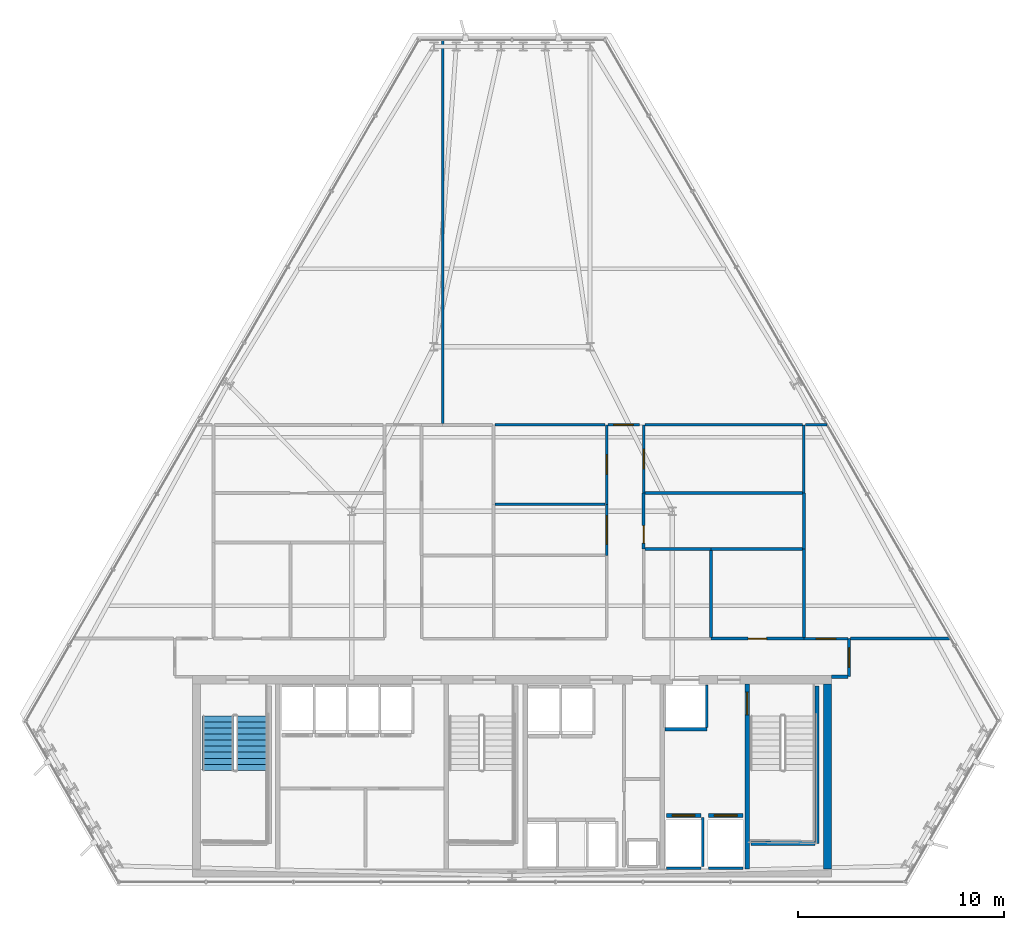
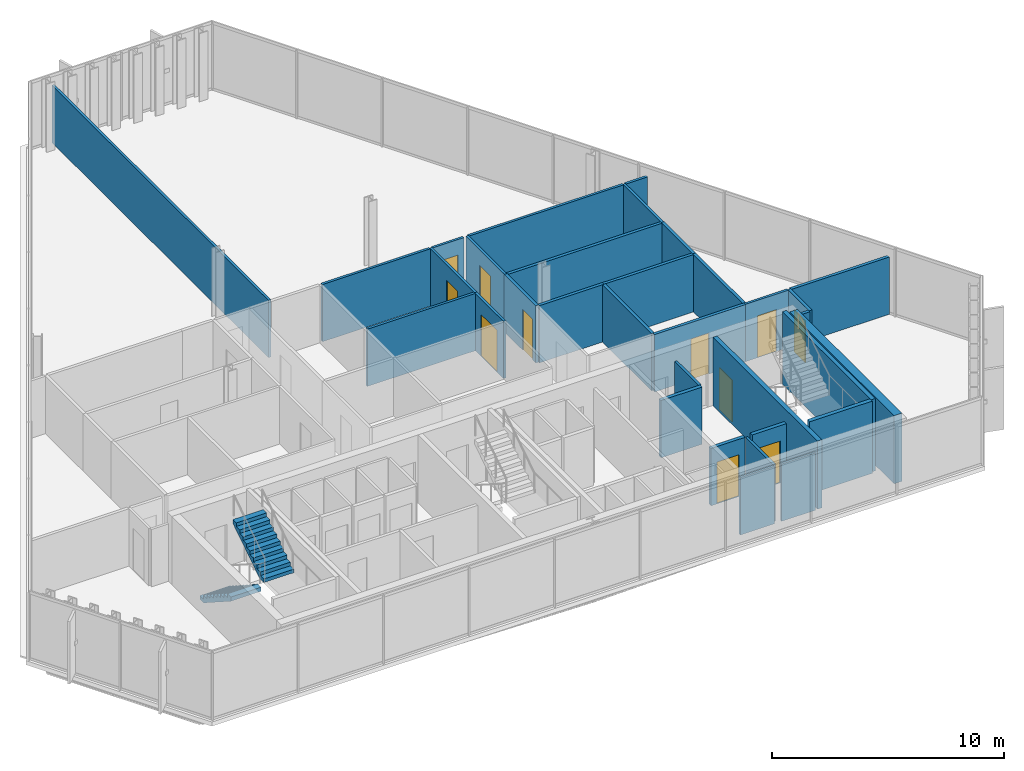
# One storey, part 29 of 34: 33 walls, 11 doors, 2 stair flights, 11 openings, 1 element without a shape of its own.
"""IFC4 building model written with IfcOpenShell, lengths in metres."""

from ifc_helpers import new_model, si_unit, direction, frame, frame_2d, origin, place, context, subcontext, project, spatial, polyline, rectangle, outline, extrude, material, layer, layer_set, type_object, element, fill, aggregate, save


model = new_model("IFC4")

# Units and contexts
model_context = context("Model", 3, precision=1e-05, world=origin(), true_north=direction((0.0, 1.0)))
body_context = subcontext(model_context, "Body", "Model", "MODEL_VIEW")
ifc_project = project(units=[si_unit("LENGTHUNIT", "METRE"), si_unit("AREAUNIT", "SQUARE_METRE"), si_unit("VOLUMEUNIT", "CUBIC_METRE"), si_unit("PLANEANGLEUNIT", "RADIAN"), si_unit("MASSUNIT", "GRAM", prefix="KILO")], contexts=[model_context])

# Site, building, storey
site_placement = place(None, origin())
site = spatial("IfcSite", under=ifc_project, at=site_placement, CompositionType="ELEMENT")
building_placement = place(site_placement, origin())
building = spatial("IfcBuilding", under=site, at=building_placement, Name="Ndaravel Arena Tower", CompositionType="ELEMENT")
storey_placement = place(building_placement, frame((0.0, 0.0, 191.60009765625)))
storey = spatial("IfcBuildingStorey", under=building, at=storey_placement, Name="L46", CompositionType="ELEMENT", Elevation=191.60009765625)

# Wall, opening, door
ifc_material_1 = material(Name="Concrete C50/60", Category="concrete")
ifc_layer_1 = layer(ifc_material_1, 0.219970703125)
ifc_layer_set_1 = layer_set([ifc_layer_1], Name="Concrete C50/60")
wall_type_1 = type_object("IfcWallType", Name="WALL-CORE-220", PredefinedType="SOLIDWALL", material=ifc_layer_set_1)
wall_1_placement = place(storey_placement, frame((53.449951171875, 5.800048828125, 0.0), z_axis=(0.0, 0.0, 1.0), x_axis=(0.0, 1.0, 0.0)))
wall_1 = element("IfcWall", 1, at=wall_1_placement, inside=storey, type_object=wall_type_1, Name="L46 Core Web Shear Wall 5", PredefinedType="SOLIDWALL", context=body_context, shape_type="SweptSolid", body=[
    extrude(rectangle(XDim=9.0, YDim=0.219970703125, at=frame_2d((4.5, 0.0))), origin(), (0.0, 0.0, 1.0), 3.579833984375),
])
opening_1_placement = place(wall_1_placement, frame((7.5, 0.0, 0.0)))
opening_1 = element("IfcOpeningElement", 2, at=opening_1_placement, cuts=wall_1, Name="Opening FD-01", PredefinedType="OPENING", context=body_context, shape_type="SweptSolid", body=[
    extrude(rectangle(XDim=1.10009765625, YDim=2.199951171875, at=frame_2d((0.550048828125, 1.10009765625))), frame((0.0, 0.10986328125, 0.0), z_axis=(0.0, -1.0, 0.0), x_axis=(1.0, 0.0, 0.0)), (0.0, 0.0, 1.0), 0.219970703125),
])
ifc_material_2 = material(Name="Steel S355", Category="steel")
door_type_1 = type_object("IfcDoorType", Name="DT-01-STAIR-1100", OperationType="SINGLE_SWING_LEFT", PredefinedType="DOOR", material=ifc_material_2)
door_1_placement = place(opening_1_placement, origin())
door_1 = element("IfcDoor", 3, at=door_1_placement, inside=storey, type_object=door_type_1, Name="L46 Firefighting Lobby to ST-3 Door", OperationType="SINGLE_SWING_LEFT", OverallHeight=2.199951171875, OverallWidth=1.10009765625, PredefinedType="DOOR", context=body_context, shape_type="SweptSolid", body=[
    extrude(rectangle(XDim=1.10009765625, YDim=2.199951171875, at=frame_2d((0.550048828125, 1.10009765625))), frame((0.0, 0.02490234375, 0.0), z_axis=(0.0, -1.0, 0.0), x_axis=(1.0, 0.0, 0.0)), (0.0, 0.0, 1.0), 0.050048828125),
])
fill(opening_1, door_1)

# Wall
ifc_material_3 = material(Name="Concrete C50/60", Category="concrete")
ifc_layer_2 = layer(ifc_material_3, 0.39990234375)
ifc_layer_set_2 = layer_set([ifc_layer_2], Name="Concrete C50/60")
wall_type_2 = type_object("IfcWallType", Name="WALL-CORE-400", PredefinedType="SOLIDWALL", material=ifc_layer_set_2)
wall_2_placement = place(storey_placement, frame((57.35009765625, 5.800048828125, 0.0), z_axis=(0.0, 0.0, 1.0), x_axis=(0.0, 1.0, 0.0)))
element("IfcWall", 4, at=wall_2_placement, inside=storey, type_object=wall_type_2, Name="L46 Core East Shear Wall", PredefinedType="SOLIDWALL", context=body_context, shape_type="SweptSolid", body=[
    extrude(rectangle(XDim=9.0, YDim=0.39990234375, at=frame_2d((4.5, 0.0))), origin(), (0.0, 0.0, 1.0), 3.579833984375),
])

# Wall, opening, door
ifc_material_4 = material(Name="Gypsum", Category="gypsum")
ifc_layer_3 = layer(ifc_material_4, 0.125)
ifc_layer_set_3 = layer_set([ifc_layer_3], Name="Gypsum")
wall_type_3 = type_object("IfcWallType", Name="WALL-PART-125", PredefinedType="PARTITIONING", material=ifc_layer_set_3)
wall_3_placement = place(storey_placement, frame((46.60009765625, 21.055908203125, 0.0), z_axis=(0.0, 0.0, 1.0), x_axis=(0.0, 1.0, 0.0)))
wall_3 = element("IfcWall", 5, at=wall_3_placement, inside=storey, type_object=wall_type_3, Name="L46 Interior Partition 017", PredefinedType="PARTITIONING", context=body_context, shape_type="SweptSolid", body=[
    extrude(rectangle(XDim=2.474365234375, YDim=0.125, at=frame_2d((1.2373046875, 0.0))), origin(), (0.0, 0.0, 1.0), 3.010498046875),
])
opening_2_placement = place(wall_3_placement, frame((0.537109375, 0.0, 0.0)))
opening_2 = element("IfcOpeningElement", 6, at=opening_2_placement, cuts=wall_3, Name="Opening ID-02", PredefinedType="OPENING", context=body_context, shape_type="SweptSolid", body=[
    extrude(rectangle(XDim=1.39990234375, YDim=2.199951171875, at=frame_2d((0.699951171875, 1.10009765625))), frame((0.0, 0.0625, 0.0), z_axis=(0.0, -1.0, 0.0), x_axis=(1.0, 0.0, 0.0)), (0.0, 0.0, 1.0), 0.125),
])
ifc_material_5 = material(Name="Timber", Category="wood")
door_type_2 = type_object("IfcDoorType", Name="DT-04-SUITE-1400", OperationType="DOUBLE_DOOR_SINGLE_SWING", PredefinedType="DOOR", material=ifc_material_5)
door_2_placement = place(opening_2_placement, origin())
door_2 = element("IfcDoor", 7, at=door_2_placement, inside=storey, type_object=door_type_2, Name="L46 Executive Dining Lounge 4 Door", OperationType="SINGLE_SWING_LEFT", OverallHeight=2.199951171875, OverallWidth=1.39990234375, PredefinedType="DOOR", context=body_context, shape_type="SweptSolid", body=[
    extrude(rectangle(XDim=1.39990234375, YDim=2.199951171875, at=frame_2d((0.699951171875, 1.10009765625))), frame((0.0, 0.02490234375, 0.0), z_axis=(0.0, -1.0, 0.0), x_axis=(1.0, 0.0, 0.0)), (0.0, 0.0, 1.0), 0.050048828125),
])
fill(opening_2, door_2)

wall_4_placement = place(storey_placement, frame((46.60009765625, 23.5302734375, 0.0), z_axis=(0.0, 0.0, 1.0), x_axis=(0.0, 1.0, 0.0)))
wall_4 = element("IfcWall", 8, at=wall_4_placement, inside=storey, type_object=wall_type_3, Name="L46 Interior Partition 018", PredefinedType="PARTITIONING", context=body_context, shape_type="SweptSolid", body=[
    extrude(rectangle(XDim=3.86962890625, YDim=0.125, at=frame_2d((1.934814453125, 0.0))), origin(), (0.0, 0.0, 1.0), 3.010498046875),
])
opening_3_placement = place(wall_4_placement, frame((1.4599609375, 0.0, 0.0)))
opening_3 = element("IfcOpeningElement", 9, at=opening_3_placement, cuts=wall_4, Name="Opening ID-01", PredefinedType="OPENING", context=body_context, shape_type="SweptSolid", body=[
    extrude(rectangle(XDim=0.949951171875, YDim=2.199951171875, at=frame_2d((0.47509765625, 1.10009765625))), frame((0.0, 0.0625, 0.0), z_axis=(0.0, -1.0, 0.0), x_axis=(1.0, 0.0, 0.0)), (0.0, 0.0, 1.0), 0.125),
])
ifc_material_6 = material(Name="Timber", Category="wood")
door_type_3 = type_object("IfcDoorType", Name="DT-03-OFFICE-950", OperationType="SINGLE_SWING_LEFT", PredefinedType="DOOR", material=ifc_material_6)
door_3_placement = place(opening_3_placement, origin())
door_3 = element("IfcDoor", 10, at=door_3_placement, inside=storey, type_object=door_type_3, Name="L46 Hospitality Sitting Room 6 Door", OperationType="SINGLE_SWING_LEFT", OverallHeight=2.199951171875, OverallWidth=0.949951171875, PredefinedType="DOOR", context=body_context, shape_type="SweptSolid", body=[
    extrude(rectangle(XDim=0.949951171875, YDim=2.199951171875, at=frame_2d((0.47509765625, 1.10009765625))), frame((0.0, 0.02490234375, 0.0), z_axis=(0.0, -1.0, 0.0), x_axis=(1.0, 0.0, 0.0)), (0.0, 0.0, 1.0), 0.050048828125),
])
fill(opening_3, door_3)

wall_5_placement = place(storey_placement, frame((46.6650390625, 27.39990234375, 0.0), z_axis=(0.0, 0.0, 1.0), x_axis=(1.0, 0.0, 0.0)))
wall_5 = element("IfcWall", 11, at=wall_5_placement, inside=storey, type_object=wall_type_3, Name="L46 Interior Partition 019", PredefinedType="PARTITIONING", context=body_context, shape_type="SweptSolid", body=[
    extrude(rectangle(XDim=1.534912109375, YDim=0.125, at=frame_2d((0.767578125, 0.0))), origin(), (0.0, 0.0, 1.0), 3.010498046875),
])
opening_4_placement = place(wall_5_placement, frame((0.29248046875, 0.0, 0.0)))
opening_4 = element("IfcOpeningElement", 12, at=opening_4_placement, cuts=wall_5, Name="Opening ID-01", PredefinedType="OPENING", context=body_context, shape_type="SweptSolid", body=[
    extrude(rectangle(XDim=0.949951171875, YDim=2.199951171875, at=frame_2d((0.47509765625, 1.10009765625))), frame((0.0, 0.0625, 0.0), z_axis=(0.0, -1.0, 0.0), x_axis=(1.0, 0.0, 0.0)), (0.0, 0.0, 1.0), 0.125),
])
door_4_placement = place(opening_4_placement, origin())
door_4 = element("IfcDoor", 13, at=door_4_placement, inside=storey, type_object=door_type_3, Name="L46 Executive Dining Lounge 8 Door", OperationType="SINGLE_SWING_LEFT", OverallHeight=2.199951171875, OverallWidth=0.949951171875, PredefinedType="DOOR", context=body_context, shape_type="SweptSolid", body=[
    extrude(rectangle(XDim=0.949951171875, YDim=2.199951171875, at=frame_2d((0.47509765625, 1.10009765625))), frame((0.0, 0.02490234375, 0.0), z_axis=(0.0, -1.0, 0.0), x_axis=(1.0, 0.0, 0.0)), (0.0, 0.0, 1.0), 0.050048828125),
])
fill(opening_4, door_4)

wall_6_placement = place(storey_placement, frame((48.39990234375, 27.39990234375, 0.0), z_axis=(0.0, 0.0, 1.0), x_axis=(0.0, -1.0, 0.0)))
wall_6 = element("IfcWall", 14, at=wall_6_placement, inside=storey, type_object=wall_type_3, Name="L46 Interior Partition 020", PredefinedType="PARTITIONING", context=body_context, shape_type="SweptSolid", body=[
    extrude(rectangle(XDim=3.3173828125, YDim=0.125, at=frame_2d((1.65869140625, 0.0))), origin(), (0.0, 0.0, 1.0), 3.010498046875),
])
opening_5_placement = place(wall_6_placement, frame((1.183837890625, 0.0, 0.0)))
opening_5 = element("IfcOpeningElement", 15, at=opening_5_placement, cuts=wall_6, Name="Opening ID-01", PredefinedType="OPENING", context=body_context, shape_type="SweptSolid", body=[
    extrude(rectangle(XDim=0.949951171875, YDim=2.199951171875, at=frame_2d((0.47509765625, 1.10009765625))), frame((0.0, 0.0625, 0.0), z_axis=(0.0, -1.0, 0.0), x_axis=(1.0, 0.0, 0.0)), (0.0, 0.0, 1.0), 0.125),
])
door_5_placement = place(opening_5_placement, origin())
door_5 = element("IfcDoor", 16, at=door_5_placement, inside=storey, type_object=door_type_3, Name="L46 Quiet Study Room 7 Door", OperationType="SINGLE_SWING_LEFT", OverallHeight=2.199951171875, OverallWidth=0.949951171875, PredefinedType="DOOR", context=body_context, shape_type="SweptSolid", body=[
    extrude(rectangle(XDim=0.949951171875, YDim=2.199951171875, at=frame_2d((0.47509765625, 1.10009765625))), frame((0.0, 0.02490234375, 0.0), z_axis=(0.0, -1.0, 0.0), x_axis=(1.0, 0.0, 0.0)), (0.0, 0.0, 1.0), 0.050048828125),
])
fill(opening_5, door_5)

wall_7_placement = place(storey_placement, frame((56.199951171875, 17.0, 0.0), z_axis=(0.0, 0.0, 1.0), x_axis=(1.0, 0.0, 0.0)))
wall_7 = element("IfcWall", 17, at=wall_7_placement, inside=storey, type_object=wall_type_3, Name="L46 Interior Partition 025", PredefinedType="PARTITIONING", context=body_context, shape_type="SweptSolid", body=[
    extrude(rectangle(XDim=2.135009765625, YDim=0.125, at=frame_2d((1.0673828125, 0.0))), origin(), (0.0, 0.0, 1.0), 3.010498046875),
])
opening_6_placement = place(wall_7_placement, frame((0.592529296875, 0.0, 0.0)))
opening_6 = element("IfcOpeningElement", 18, at=opening_6_placement, cuts=wall_7, Name="Opening ID-01", PredefinedType="OPENING", context=body_context, shape_type="SweptSolid", body=[
    extrude(rectangle(XDim=0.949951171875, YDim=2.199951171875, at=frame_2d((0.47509765625, 1.10009765625))), frame((0.0, 0.0625, 0.0), z_axis=(0.0, -1.0, 0.0), x_axis=(1.0, 0.0, 0.0)), (0.0, 0.0, 1.0), 0.125),
])
door_6_placement = place(opening_6_placement, origin())
door_6 = element("IfcDoor", 19, at=door_6_placement, inside=storey, type_object=door_type_3, Name="L46 Barista Galley 3 Door", OperationType="SINGLE_SWING_RIGHT", OverallHeight=2.199951171875, OverallWidth=0.949951171875, PredefinedType="DOOR", context=body_context, shape_type="SweptSolid", body=[
    extrude(rectangle(XDim=0.949951171875, YDim=2.199951171875, at=frame_2d((0.47509765625, 1.10009765625))), frame((0.0, 0.02490234375, 0.0), z_axis=(0.0, -1.0, 0.0), x_axis=(1.0, 0.0, 0.0)), (0.0, 0.0, 1.0), 0.050048828125),
])
fill(opening_6, door_6)

# Walls
wall_8_placement = place(storey_placement, frame((56.199951171875, 24.08251953125, 0.0), z_axis=(0.0, 0.0, 1.0), x_axis=(0.0, 1.0, 0.0)))
element("IfcWall", 20, at=wall_8_placement, inside=storey, type_object=wall_type_3, Name="L46 Interior Partition 042", PredefinedType="PARTITIONING", context=body_context, shape_type="SweptSolid", body=[
    extrude(rectangle(XDim=3.3173828125, YDim=0.125, at=frame_2d((1.65869140625, 0.0))), origin(), (0.0, 0.0, 1.0), 3.010498046875),
])
wall_9_placement = place(storey_placement, frame((56.264892578125, 27.39990234375, 0.0), z_axis=(0.0, 0.0, 1.0), x_axis=(1.0, 0.0, 0.0)))
element("IfcWall", 21, at=wall_9_placement, inside=storey, type_object=wall_type_3, Name="L46 Interior Partition 043", PredefinedType="PARTITIONING", context=body_context, shape_type="SweptSolid", body=[
    extrude(rectangle(XDim=1.069580078125, YDim=0.125, at=frame_2d((0.53466796875, 0.0))), origin(), (0.0, 0.0, 1.0), 3.010498046875),
])
for number, where, z_axis, x_axis, name in (
    (22, (41.175048828125, 23.5302734375, 0.0), (0.0, 0.0, 1.0), (1.0, 0.0, 0.0), "L46 Interior Partition 045"),
    (23, (41.175048828125, 27.39990234375, 0.0), (0.0, 0.0, 1.0), (1.0, 0.0, 0.0), "L46 Interior Partition 051"),
):
    element("IfcWall", number, at=place(storey_placement, frame(where, z_axis=z_axis, x_axis=x_axis)), inside=storey, type_object=wall_type_3, Name=name, PredefinedType="PARTITIONING", context=body_context, shape_type="SweptSolid", body=[
        extrude(rectangle(XDim=5.35986328125, YDim=0.125, at=frame_2d((2.679931640625, 0.0))), origin(), (0.0, 0.0, 1.0), 3.010498046875),
    ])
wall_10_placement = place(storey_placement, frame((48.465087890625, 27.39990234375, 0.0), z_axis=(0.0, 0.0, 1.0), x_axis=(1.0, 0.0, 0.0)))
element("IfcWall", 24, at=wall_10_placement, inside=storey, type_object=wall_type_3, Name="L46 Interior Partition 054", PredefinedType="PARTITIONING", context=body_context, shape_type="SweptSolid", body=[
    extrude(rectangle(XDim=7.669921875, YDim=0.125, at=frame_2d((3.8349609375, 0.0))), origin(), (0.0, 0.0, 1.0), 3.010498046875),
])
wall_11_placement = place(storey_placement, frame((38.62646484375, 46.1259765625, 0.0), z_axis=(0.0, 0.0, 1.0), x_axis=(0.0, -1.0, 0.0)))
element("IfcWall", 25, at=wall_11_placement, inside=storey, type_object=wall_type_3, Name="L46 Interior Partition 056", PredefinedType="PARTITIONING", context=body_context, shape_type="SweptSolid", body=[
    extrude(rectangle(XDim=18.660888671875, YDim=0.125, at=frame_2d((9.33056640625, 0.0))), origin(), (0.0, 0.0, 1.0), 3.010498046875),
])
ifc_material_7 = material(Name="Concrete C40/50", Category="concrete")
ifc_layer_4 = layer(ifc_material_7, 0.1201171875)
ifc_layer_set_4 = layer_set([ifc_layer_4], Name="Concrete C40/50")
wall_type_4 = type_object("IfcWallType", Name="WALL-SHAFT-120", PredefinedType="SOLIDWALL", material=ifc_layer_set_4)
wall_12_placement = place(storey_placement, frame((49.5048828125, 5.840087890625, 0.0), z_axis=(0.0, 0.0, 1.0), x_axis=(1.0, 0.0, 0.0)))
element("IfcWall", 26, at=wall_12_placement, inside=storey, type_object=wall_type_4, Name="L46 FFL-1 Shaft Rear Wall", PredefinedType="SOLIDWALL", context=body_context, shape_type="SweptSolid", body=[
    extrude(rectangle(XDim=1.690185546875, YDim=0.1201171875, at=frame_2d((0.84521484375, 0.0))), origin(), (0.0, 0.0, 1.0), 3.010498046875),
])
wall_13_placement = place(storey_placement, frame((51.27490234375, 5.929931640625, 0.0), z_axis=(0.0, 0.0, 1.0), x_axis=(0.0, 1.0, 0.0)))
element("IfcWall", 27, at=wall_13_placement, inside=storey, type_object=wall_type_4, Name="L46 FFL-1 Shaft Side R Wall", PredefinedType="SOLIDWALL", context=body_context, shape_type="SweptSolid", body=[
    extrude(rectangle(XDim=2.380126953125, YDim=0.1201171875, at=frame_2d((1.18994140625, 0.0))), origin(), (0.0, 0.0, 1.0), 3.010498046875),
])
wall_14_placement = place(storey_placement, frame((51.554931640625, 5.840087890625, 0.0), z_axis=(0.0, 0.0, 1.0), x_axis=(1.0, 0.0, 0.0)))
element("IfcWall", 28, at=wall_14_placement, inside=storey, type_object=wall_type_4, Name="L46 FFL-2 Shaft Rear Wall", PredefinedType="SOLIDWALL", context=body_context, shape_type="SweptSolid", body=[
    extrude(rectangle(XDim=1.690185546875, YDim=0.1201171875, at=frame_2d((0.84521484375, 0.0))), origin(), (0.0, 0.0, 1.0), 3.010498046875),
])
wall_15_placement = place(storey_placement, frame((51.47998046875, 12.68994140625, 0.0), z_axis=(0.0, 0.0, 1.0), x_axis=(0.0, 1.0, 0.0)))
element("IfcWall", 29, at=wall_15_placement, inside=storey, type_object=wall_type_4, Name="L46 SVL-1 Shaft E Wall", PredefinedType="SOLIDWALL", context=body_context, shape_type="SweptSolid", body=[
    extrude(rectangle(XDim=2.070068359375, YDim=0.1201171875, at=frame_2d((1.03515625, 0.0))), origin(), (0.0, 0.0, 1.0), 3.010498046875),
])
ifc_material_8 = material(Name="Concrete C40/50", Category="concrete")
ifc_layer_5 = layer(ifc_material_8, 0.199951171875)
ifc_layer_set_5 = layer_set([ifc_layer_5], Name="Concrete C40/50")
wall_type_5 = type_object("IfcWallType", Name="WALL-SHAFT-200", PredefinedType="SOLIDWALL", material=ifc_layer_set_5)
wall_16_placement = place(storey_placement, frame((56.840087890625, 14.699951171875, 0.0), z_axis=(0.0, 0.0, 1.0), x_axis=(0.0, -1.0, 0.0)))
element("IfcWall", 30, at=wall_16_placement, inside=storey, type_object=wall_type_5, Name="L46 ST-3 Structural Shaft Wall Right", PredefinedType="SOLIDWALL", context=body_context, shape_type="SweptSolid", body=[
    extrude(rectangle(XDim=7.64990234375, YDim=0.199951171875, at=frame_2d((3.824951171875, 0.0))), origin(), (0.0, 0.0, 1.0), 3.7998046875),
])
wall_17_placement = place(storey_placement, frame((53.6201171875, 7.050048828125, 0.0), z_axis=(0.0, 0.0, 1.0), x_axis=(1.0, 0.0, 0.0)))
element("IfcWall", 31, at=wall_17_placement, inside=storey, type_object=wall_type_5, Name="L46 ST-3 Structural Shaft Wall Far", PredefinedType="SOLIDWALL", context=body_context, shape_type="SweptSolid", body=[
    extrude(rectangle(XDim=3.114990234375, YDim=0.199951171875, at=frame_2d((1.5576171875, 0.0))), origin(), (0.0, 0.0, 1.0), 3.7998046875),
])

# Wall, opening, door
wall_18_placement = place(storey_placement, frame((49.5048828125, 8.39990234375, 0.0), z_axis=(0.0, 0.0, 1.0), x_axis=(1.0, 0.0, 0.0)))
wall_18 = element("IfcWall", 32, at=wall_18_placement, inside=storey, type_object=wall_type_5, Name="L46 FFL-1 Shaft Landing Wall", PredefinedType="SOLIDWALL", context=body_context, shape_type="SweptSolid", body=[
    extrude(rectangle(XDim=1.690185546875, YDim=0.179931640625, at=frame_2d((0.84521484375, 0.0))), origin(), (0.0, 0.0, 1.0), 3.010498046875),
])
opening_7_placement = place(wall_18_placement, frame((0.294921875, 0.0, 0.0)))
opening_7 = element("IfcOpeningElement", 33, at=opening_7_placement, cuts=wall_18, Name="Opening LD-01", PredefinedType="OPENING", context=body_context, shape_type="SweptSolid", body=[
    extrude(rectangle(XDim=1.10009765625, YDim=2.199951171875, at=frame_2d((0.550048828125, 1.10009765625))), frame((0.0, 0.08984375, 0.0), z_axis=(0.0, -1.0, 0.0), x_axis=(1.0, 0.0, 0.0)), (0.0, 0.0, 1.0), 0.179931640625),
])
ifc_material_9 = material(Name="Steel S355", Category="steel")
door_type_4 = type_object("IfcDoorType", Name="DT-06-LIFT-1100", OperationType="SLIDING_TO_LEFT", PredefinedType="DOOR", material=ifc_material_9)
door_7_placement = place(opening_7_placement, origin())
door_7 = element("IfcDoor", 34, at=door_7_placement, inside=storey, type_object=door_type_4, Name="L46 Lift FFL-1 Sliding Landing Door", OperationType="SLIDING_TO_LEFT", OverallHeight=2.199951171875, OverallWidth=1.10009765625, PredefinedType="DOOR", context=body_context, shape_type="SweptSolid", body=[
    extrude(rectangle(XDim=1.10009765625, YDim=2.199951171875, at=frame_2d((0.550048828125, 1.10009765625))), frame((0.0, 0.02490234375, 0.0), z_axis=(0.0, -1.0, 0.0), x_axis=(1.0, 0.0, 0.0)), (0.0, 0.0, 1.0), 0.050048828125),
])
fill(opening_7, door_7)

wall_19_placement = place(storey_placement, frame((51.554931640625, 8.39990234375, 0.0), z_axis=(0.0, 0.0, 1.0), x_axis=(1.0, 0.0, 0.0)))
wall_19 = element("IfcWall", 35, at=wall_19_placement, inside=storey, type_object=wall_type_5, Name="L46 FFL-2 Shaft Landing Wall", PredefinedType="SOLIDWALL", context=body_context, shape_type="SweptSolid", body=[
    extrude(rectangle(XDim=1.690185546875, YDim=0.179931640625, at=frame_2d((0.84521484375, 0.0))), origin(), (0.0, 0.0, 1.0), 3.010498046875),
])
opening_8_placement = place(wall_19_placement, frame((0.294921875, 0.0, 0.0)))
opening_8 = element("IfcOpeningElement", 36, at=opening_8_placement, cuts=wall_19, Name="Opening LD-01", PredefinedType="OPENING", context=body_context, shape_type="SweptSolid", body=[
    extrude(rectangle(XDim=1.10009765625, YDim=2.199951171875, at=frame_2d((0.550048828125, 1.10009765625))), frame((0.0, 0.08984375, 0.0), z_axis=(0.0, -1.0, 0.0), x_axis=(1.0, 0.0, 0.0)), (0.0, 0.0, 1.0), 0.179931640625),
])
door_8_placement = place(opening_8_placement, origin())
door_8 = element("IfcDoor", 37, at=door_8_placement, inside=storey, type_object=door_type_4, Name="L46 Lift FFL-2 Sliding Landing Door", OperationType="SLIDING_TO_LEFT", OverallHeight=2.199951171875, OverallWidth=1.10009765625, PredefinedType="DOOR", context=body_context, shape_type="SweptSolid", body=[
    extrude(rectangle(XDim=1.10009765625, YDim=2.199951171875, at=frame_2d((0.550048828125, 1.10009765625))), frame((0.0, 0.02490234375, 0.0), z_axis=(0.0, -1.0, 0.0), x_axis=(1.0, 0.0, 0.0)), (0.0, 0.0, 1.0), 0.050048828125),
])
fill(opening_8, door_8)

# Wall
wall_20_placement = place(storey_placement, frame((49.43994140625, 12.594970703125, 0.0), z_axis=(0.0, 0.0, 1.0), x_axis=(1.0, 0.0, 0.0)))
element("IfcWall", 38, at=wall_20_placement, inside=storey, type_object=wall_type_5, Name="L46 SVL-1 Shaft South Wall", PredefinedType="SOLIDWALL", context=body_context, shape_type="SweptSolid", body=[
    extrude(rectangle(XDim=2.0400390625, YDim=0.179931640625, at=frame_2d((1.02001953125, 0.0))), origin(), (0.0, 0.0, 1.0), 3.010498046875),
])

# Wall, opening, door
ifc_material_10 = material(Name="Masonry", Category="masonry")
ifc_layer_6 = layer(ifc_material_10, 0.14990234375)
ifc_layer_set_6 = layer_set([ifc_layer_6], Name="Masonry")
wall_type_6 = type_object("IfcWallType", Name="WALL-WET-150", PredefinedType="PARTITIONING", material=ifc_layer_set_6)
wall_21_placement = place(storey_placement, frame((58.39990234375, 17.0, 0.0), z_axis=(0.0, 0.0, 1.0), x_axis=(0.0, -1.0, 0.0)))
wall_21 = element("IfcWall", 39, at=wall_21_placement, inside=storey, type_object=wall_type_6, Name="L46 Interior Partition 001", PredefinedType="PARTITIONING", context=body_context, shape_type="SweptSolid", body=[
    extrude(rectangle(XDim=1.85009765625, YDim=0.14990234375, at=frame_2d((0.925048828125, 0.0))), origin(), (0.0, 0.0, 1.0), 3.010498046875),
])
opening_9_placement = place(wall_21_placement, frame((0.449951171875, 0.0, 0.0)))
opening_9 = element("IfcOpeningElement", 40, at=opening_9_placement, cuts=wall_21, Name="Opening FD-03", PredefinedType="OPENING", context=body_context, shape_type="SweptSolid", body=[
    extrude(rectangle(XDim=0.949951171875, YDim=2.199951171875, at=frame_2d((0.47509765625, 1.10009765625))), frame((0.0, 0.074951171875, 0.0), z_axis=(0.0, -1.0, 0.0), x_axis=(1.0, 0.0, 0.0)), (0.0, 0.0, 1.0), 0.14990234375),
])
ifc_material_11 = material(Name="Steel S355", Category="steel")
door_type_5 = type_object("IfcDoorType", Name="DT-11-CORE-950", OperationType="SINGLE_SWING_LEFT", PredefinedType="DOOR", material=ifc_material_11)
door_9_placement = place(opening_9_placement, origin())
door_9 = element("IfcDoor", 41, at=door_9_placement, inside=storey, type_object=door_type_5, Name="L46 Staff Espresso Kitchen Door", OperationType="SINGLE_SWING_RIGHT", OverallHeight=2.199951171875, OverallWidth=0.949951171875, PredefinedType="DOOR", context=body_context, shape_type="SweptSolid", body=[
    extrude(rectangle(XDim=0.949951171875, YDim=2.199951171875, at=frame_2d((0.47509765625, 1.10009765625))), frame((0.0, 0.02490234375, 0.0), z_axis=(0.0, -1.0, 0.0), x_axis=(1.0, 0.0, 0.0)), (0.0, 0.0, 1.0), 0.050048828125),
])
fill(opening_9, door_9)

# Wall
wall_22_placement = place(storey_placement, frame((58.3349609375, 15.14990234375, 0.0), z_axis=(0.0, 0.0, 1.0), x_axis=(-1.0, 0.0, 0.0)))
element("IfcWall", 42, at=wall_22_placement, inside=storey, type_object=wall_type_6, Name="L46 Interior Partition 002", PredefinedType="PARTITIONING", context=body_context, shape_type="SweptSolid", body=[
    extrude(rectangle(XDim=0.784912109375, YDim=0.14990234375, at=frame_2d((0.392578125, 0.0))), origin(), (0.0, 0.0, 1.0), 3.010498046875),
])

# Wall, opening, door
wall_23_placement = place(storey_placement, frame((48.39990234375, 24.08251953125, 0.0), z_axis=(0.0, 0.0, 1.0), x_axis=(0.0, -1.0, 0.0)))
wall_23 = element("IfcWall", 43, at=wall_23_placement, inside=storey, type_object=wall_type_6, Name="L46 Interior Partition 021", PredefinedType="PARTITIONING", context=body_context, shape_type="SweptSolid", body=[
    extrude(rectangle(XDim=2.714599609375, YDim=0.14990234375, at=frame_2d((1.357421875, 0.0))), origin(), (0.0, 0.0, 1.0), 3.010498046875),
])
opening_10_placement = place(wall_23_placement, frame((1.582275390625, 0.0, 0.0)))
opening_10 = element("IfcOpeningElement", 44, at=opening_10_placement, cuts=wall_23, Name="Opening ID-03", PredefinedType="OPENING", context=body_context, shape_type="SweptSolid", body=[
    extrude(rectangle(XDim=0.85009765625, YDim=2.14990234375, at=frame_2d((0.425048828125, 1.074951171875))), frame((0.0, 0.074951171875, 0.0), z_axis=(0.0, -1.0, 0.0), x_axis=(1.0, 0.0, 0.0)), (0.0, 0.0, 1.0), 0.14990234375),
])
ifc_material_12 = material(Name="Timber", Category="wood")
door_type_6 = type_object("IfcDoorType", Name="DT-12-SUB-850", OperationType="SINGLE_SWING_LEFT", PredefinedType="DOOR", material=ifc_material_12)
door_10_placement = place(opening_10_placement, origin())
door_10 = element("IfcDoor", 45, at=door_10_placement, inside=storey, type_object=door_type_6, Name="L46 Floor Servery Kitchen 4 Door", OperationType="SINGLE_SWING_LEFT", OverallHeight=2.14990234375, OverallWidth=0.85009765625, PredefinedType="DOOR", context=body_context, shape_type="SweptSolid", body=[
    extrude(rectangle(XDim=0.85009765625, YDim=2.14990234375, at=frame_2d((0.425048828125, 1.074951171875))), frame((0.0, 0.02490234375, 0.0), z_axis=(0.0, -1.0, 0.0), x_axis=(1.0, 0.0, 0.0)), (0.0, 0.0, 1.0), 0.050048828125),
])
fill(opening_10, door_10)

wall_24_placement = place(storey_placement, frame((51.676025390625, 17.0, 0.0), z_axis=(0.0, 0.0, 1.0), x_axis=(1.0, 0.0, 0.0)))
wall_24 = element("IfcWall", 46, at=wall_24_placement, inside=storey, type_object=wall_type_6, Name="L46 Interior Partition 024", PredefinedType="PARTITIONING", context=body_context, shape_type="SweptSolid", body=[
    extrude(rectangle(XDim=4.52392578125, YDim=0.14990234375, at=frame_2d((2.261962890625, 0.0))), origin(), (0.0, 0.0, 1.0), 3.010498046875),
])
opening_11_placement = place(wall_24_placement, frame((1.81201171875, 0.0, 0.0)))
opening_11 = element("IfcOpeningElement", 47, at=opening_11_placement, cuts=wall_24, Name="Opening WD-01", PredefinedType="OPENING", context=body_context, shape_type="SweptSolid", body=[
    extrude(rectangle(XDim=0.89990234375, YDim=2.14990234375, at=frame_2d((0.449951171875, 1.074951171875))), frame((0.0, 0.074951171875, 0.0), z_axis=(0.0, -1.0, 0.0), x_axis=(1.0, 0.0, 0.0)), (0.0, 0.0, 1.0), 0.14990234375),
])
ifc_material_13 = material(Name="Timber", Category="wood")
door_type_7 = type_object("IfcDoorType", Name="DT-05-WC-900", OperationType="SINGLE_SWING_LEFT", PredefinedType="DOOR", material=ifc_material_13)
door_11_placement = place(opening_11_placement, origin())
door_11 = element("IfcDoor", 48, at=door_11_placement, inside=storey, type_object=door_type_7, Name="L46 Male Staff & Visitor Restroom Door", OperationType="SINGLE_SWING_RIGHT", OverallHeight=2.14990234375, OverallWidth=0.89990234375, PredefinedType="DOOR", context=body_context, shape_type="SweptSolid", body=[
    extrude(rectangle(XDim=0.89990234375, YDim=2.14990234375, at=frame_2d((0.449951171875, 1.074951171875))), frame((0.0, 0.02490234375, 0.0), z_axis=(0.0, -1.0, 0.0), x_axis=(1.0, 0.0, 0.0)), (0.0, 0.0, 1.0), 0.050048828125),
])
fill(opening_11, door_11)

# Walls
wall_25_placement = place(storey_placement, frame((58.465087890625, 17.0, 0.0), z_axis=(0.0, 0.0, 1.0), x_axis=(1.0, 0.0, 0.0)))
element("IfcWall", 49, at=wall_25_placement, inside=storey, type_object=wall_type_6, Name="L46 Interior Partition 027", PredefinedType="PARTITIONING", context=body_context, shape_type="SweptSolid", body=[
    extrude(rectangle(XDim=4.873779296875, YDim=0.14990234375, at=frame_2d((2.43701171875, 0.0))), origin(), (0.0, 0.0, 1.0), 3.010498046875),
])
wall_26_placement = place(storey_placement, frame((48.465087890625, 21.367919921875, 0.0), z_axis=(0.0, 0.0, 1.0), x_axis=(1.0, 0.0, 0.0)))
element("IfcWall", 50, at=wall_26_placement, inside=storey, type_object=wall_type_6, Name="L46 Interior Partition 031", PredefinedType="PARTITIONING", context=body_context, shape_type="SweptSolid", body=[
    extrude(rectangle(XDim=3.2109375, YDim=0.14990234375, at=frame_2d((1.60546875, 0.0))), origin(), (0.0, 0.0, 1.0), 3.010498046875),
])
wall_27_placement = place(storey_placement, frame((51.676025390625, 21.302978515625, 0.0), z_axis=(0.0, 0.0, 1.0), x_axis=(0.0, -1.0, 0.0)))
element("IfcWall", 51, at=wall_27_placement, inside=storey, type_object=wall_type_6, Name="L46 Interior Partition 032", PredefinedType="PARTITIONING", context=body_context, shape_type="SweptSolid", body=[
    extrude(rectangle(XDim=4.238037109375, YDim=0.14990234375, at=frame_2d((2.119140625, 0.0))), origin(), (0.0, 0.0, 1.0), 3.010498046875),
])
wall_28_placement = place(storey_placement, frame((56.199951171875, 21.367919921875, 0.0), z_axis=(0.0, 0.0, 1.0), x_axis=(0.0, -1.0, 0.0)))
element("IfcWall", 52, at=wall_28_placement, inside=storey, type_object=wall_type_6, Name="L46 Interior Partition 033", PredefinedType="PARTITIONING", context=body_context, shape_type="SweptSolid", body=[
    extrude(rectangle(XDim=4.302978515625, YDim=0.14990234375, at=frame_2d((2.1513671875, 0.0))), origin(), (0.0, 0.0, 1.0), 3.010498046875),
])
wall_29_placement = place(storey_placement, frame((51.676025390625, 21.367919921875, 0.0), z_axis=(0.0, 0.0, 1.0), x_axis=(1.0, 0.0, 0.0)))
element("IfcWall", 53, at=wall_29_placement, inside=storey, type_object=wall_type_6, Name="L46 Interior Partition 034", PredefinedType="PARTITIONING", context=body_context, shape_type="SweptSolid", body=[
    extrude(rectangle(XDim=4.458984375, YDim=0.14990234375, at=frame_2d((2.2294921875, 0.0))), origin(), (0.0, 0.0, 1.0), 3.010498046875),
])
wall_30_placement = place(storey_placement, frame((56.199951171875, 21.367919921875, 0.0), z_axis=(0.0, 0.0, 1.0), x_axis=(0.0, 1.0, 0.0)))
element("IfcWall", 54, at=wall_30_placement, inside=storey, type_object=wall_type_6, Name="L46 Interior Partition 041", PredefinedType="PARTITIONING", context=body_context, shape_type="SweptSolid", body=[
    extrude(rectangle(XDim=2.714599609375, YDim=0.14990234375, at=frame_2d((1.357421875, 0.0))), origin(), (0.0, 0.0, 1.0), 3.010498046875),
])
wall_31_placement = place(storey_placement, frame((48.465087890625, 24.08251953125, 0.0), z_axis=(0.0, 0.0, 1.0), x_axis=(1.0, 0.0, 0.0)))
element("IfcWall", 55, at=wall_31_placement, inside=storey, type_object=wall_type_6, Name="L46 Interior Partition 046", PredefinedType="PARTITIONING", context=body_context, shape_type="SweptSolid", body=[
    extrude(rectangle(XDim=7.669921875, YDim=0.14990234375, at=frame_2d((3.8349609375, 0.0))), origin(), (0.0, 0.0, 1.0), 3.010498046875),
])

# Stair, stair flights
ifc_material_14 = material(Name="Concrete C40/50", Category="concrete")
stair_type = type_object("IfcStairType", Name="STAIR-CORE-HT", PredefinedType="HALF_TURN_STAIR", material=ifc_material_14)
stair_placement = place(storey_placement, origin())
stair = element("IfcStair", 56, at=stair_placement, inside=storey, type_object=stair_type, Name="L46 ST-1", PredefinedType="HALF_TURN_STAIR")
ifc_material_15 = material(Name="Concrete C40/50", Category="concrete")
stair_flight_type = type_object("IfcStairFlightType", Name="SFLIGHT-CORE-1680", PredefinedType="STRAIGHT", material=ifc_material_15)
stair_flight_1_placement = place(storey_placement, frame((27.699951171875, 13.25, 0.0), z_axis=(0.0, 0.0, 1.0), x_axis=(0.0, -1.0, 0.0)))
stair_flight_1 = element("IfcStairFlight", 57, at=stair_flight_1_placement, type_object=stair_flight_type, Name="ST-1 flight 1", NumberOfRisers=10, NumberOfTreads=9, PredefinedType="STRAIGHT", RiserHeight=0.19, TreadLength=0.295, context=body_context, shape_type="SweptSolid", body=[
    extrude(outline(polyline([(0.0, 0.0), (0.0, 0.18994140625), (0.294921875, 0.18994140625), (0.294921875, 0.3798828125), (0.590087890625, 0.3798828125), (0.590087890625, 0.570068359375), (0.885009765625, 0.570068359375), (0.885009765625, 0.760009765625), (1.179931640625, 0.760009765625), (1.179931640625, 0.949951171875), (1.47509765625, 0.949951171875), (1.47509765625, 1.139892578125), (1.77001953125, 1.139892578125), (1.77001953125, 1.330078125), (2.06494140625, 1.330078125), (2.06494140625, 1.52001953125), (2.360107421875, 1.52001953125), (2.360107421875, 1.7099609375), (2.655029296875, 1.7099609375), (2.655029296875, 1.89990234375), (2.655029296875, 1.49609375), (0.332275390625, 0.0), (0.0, 0.0)])), frame((0.0, 0.75, 0.0), z_axis=(0.0, -1.0, 0.0), x_axis=(1.0, 0.0, 0.0)), (0.0, 0.0, 1.0), 1.5),
])
stair_flight_2_placement = place(storey_placement, frame((29.340087890625, 10.594970703125, 1.89990234375), z_axis=(0.0, 0.0, 1.0), x_axis=(0.0, 1.0, 0.0)))
stair_flight_2 = element("IfcStairFlight", 58, at=stair_flight_2_placement, type_object=stair_flight_type, Name="ST-1 flight 2", NumberOfRisers=10, NumberOfTreads=9, PredefinedType="STRAIGHT", RiserHeight=0.19, TreadLength=0.295, context=body_context, shape_type="SweptSolid", body=[
    extrude(outline(polyline([(0.0, 0.0), (0.0, 0.18994140625), (0.294921875, 0.18994140625), (0.294921875, 0.3798828125), (0.590087890625, 0.3798828125), (0.590087890625, 0.570068359375), (0.885009765625, 0.570068359375), (0.885009765625, 0.760009765625), (1.179931640625, 0.760009765625), (1.179931640625, 0.949951171875), (1.47509765625, 0.949951171875), (1.47509765625, 1.139892578125), (1.77001953125, 1.139892578125), (1.77001953125, 1.330078125), (2.06494140625, 1.330078125), (2.06494140625, 1.52001953125), (2.360107421875, 1.52001953125), (2.360107421875, 1.7099609375), (2.655029296875, 1.7099609375), (2.655029296875, 1.89990234375), (2.655029296875, 1.49609375), (0.332275390625, 0.0), (0.0, 0.0)])), frame((0.0, 0.75, 0.0), z_axis=(0.0, -1.0, 0.0), x_axis=(1.0, 0.0, 0.0)), (0.0, 0.0, 1.0), 1.5),
])
aggregate(stair, [stair_flight_1, stair_flight_2])

save(model, "model.ifc")
